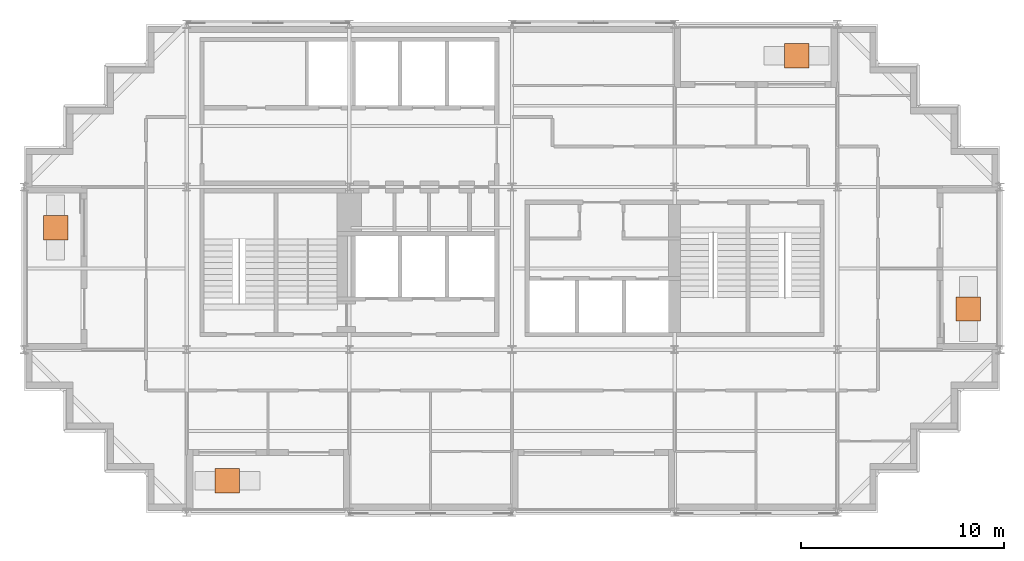
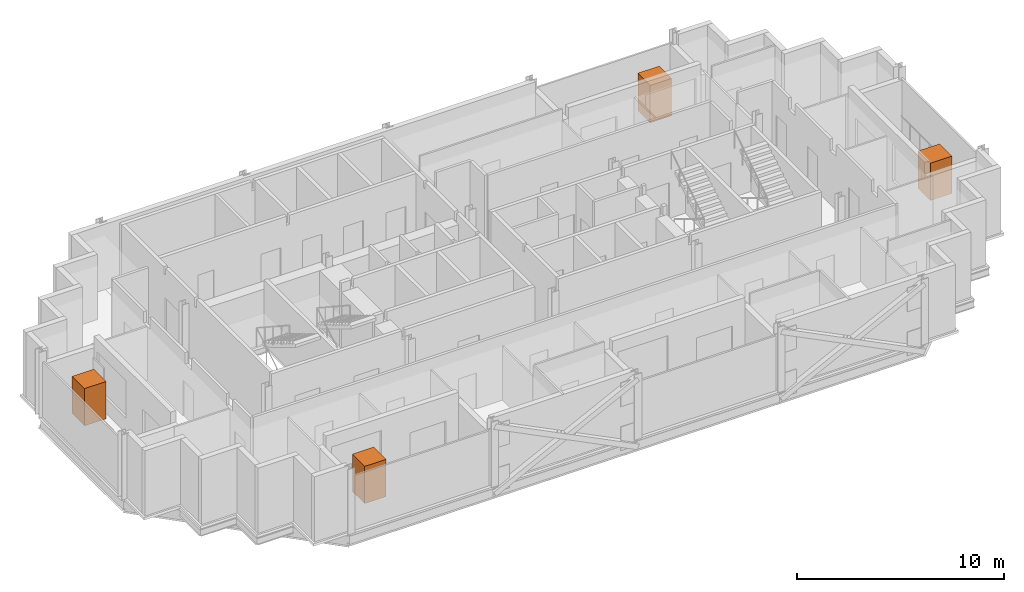
# One storey, part 10 of 10: 4 geographic elements.
"""IFC4 building model written with IfcOpenShell, lengths in metres."""

from ifc_helpers import new_model, si_unit, direction, frame, origin, origin_2d, place, context, subcontext, project, spatial, rectangle, extrude, material, type_object, element, save


model = new_model("IFC4")

# Units and contexts
model_context = context("Model", 3, precision=1e-05, world=origin(), true_north=direction((0.0, 1.0)))
body_context = subcontext(model_context, "Body", "Model", "MODEL_VIEW")
ifc_project = project(units=[si_unit("LENGTHUNIT", "METRE"), si_unit("AREAUNIT", "SQUARE_METRE"), si_unit("VOLUMEUNIT", "CUBIC_METRE"), si_unit("PLANEANGLEUNIT", "RADIAN"), si_unit("MASSUNIT", "GRAM", prefix="KILO")], contexts=[model_context])

# Site, building, storey
site_placement = place(None, origin())
site = spatial("IfcSite", under=ifc_project, at=site_placement, CompositionType="ELEMENT")
building_placement = place(site_placement, origin())
building = spatial("IfcBuilding", under=site, at=building_placement, Name="Immortelle Media Tower", CompositionType="ELEMENT")
storey_placement = place(building_placement, frame((0.0, 0.0, 229.0)))
storey = spatial("IfcBuildingStorey", under=building, at=storey_placement, Name="L49", CompositionType="ELEMENT", Elevation=229.0)

# Geographic elements
ifc_material = material(Name="Tree canopy foliage")
geographic_element_type = type_object("IfcGeographicElementType", Name="Tree", PredefinedType="USERDEFINED", material=ifc_material)
for number, where, z_axis, x_axis, name in (
    (1, (10.0, 1.550048828125, 0.60009765625), (0.0, 0.0, 1.0), (1.0, 0.0, 0.0), "Tree L49 S0"),
    (2, (46.449951171875, 10.0, 0.60009765625), (0.0, 0.0, 1.0), (1.0, 0.0, 0.0), "Tree L49 E0"),
    (3, (38.0, 22.449951171875, 0.60009765625), (0.0, 0.0, 1.0), (1.0, 0.0, 0.0), "Tree L49 N0"),
    (4, (1.550048828125, 14.0, 0.60009765625), (0.0, 0.0, 1.0), (1.0, 0.0, 0.0), "Tree L49 W0"),
):
    element("IfcGeographicElement", number, at=place(storey_placement, frame(where, z_axis=z_axis, x_axis=x_axis)), inside=storey, type_object=geographic_element_type, Name=name, ObjectType="Tree", PredefinedType="USERDEFINED", context=body_context, shape_type="SweptSolid", body=[
        extrude(rectangle(XDim=1.199951171875, YDim=1.199951171875, at=origin_2d()), origin(), (0.0, 0.0, 1.0), 2.199951171875),
    ])

save(model, "model.ifc")
